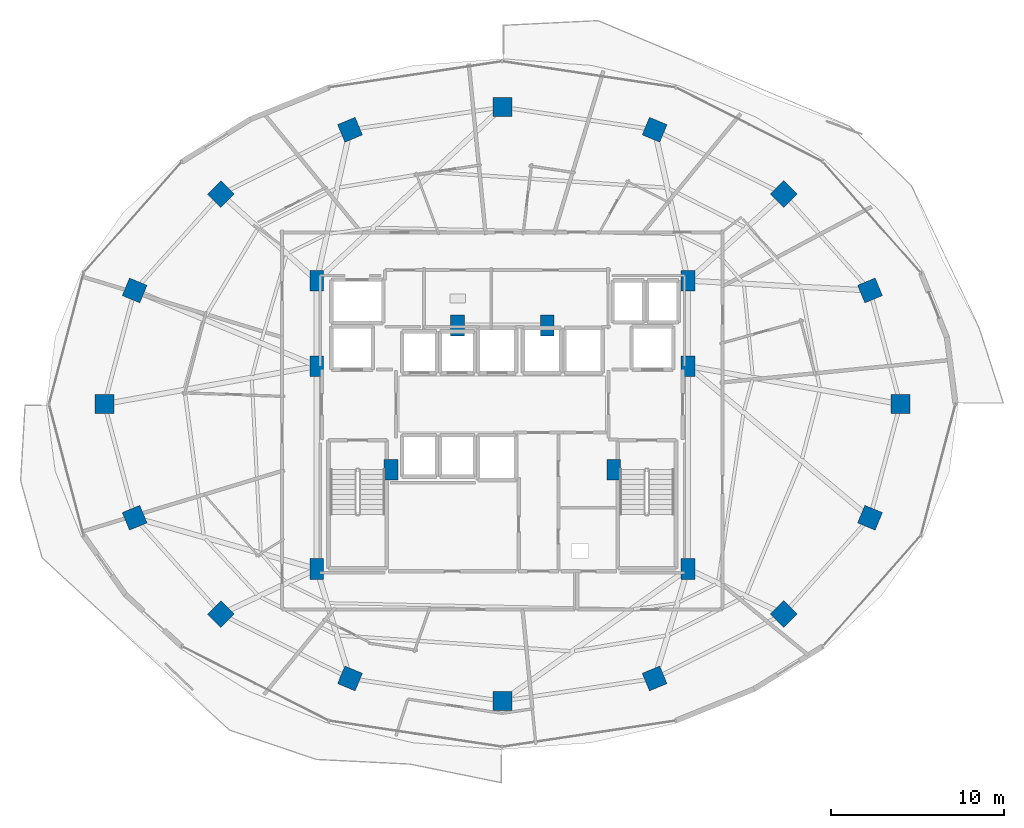
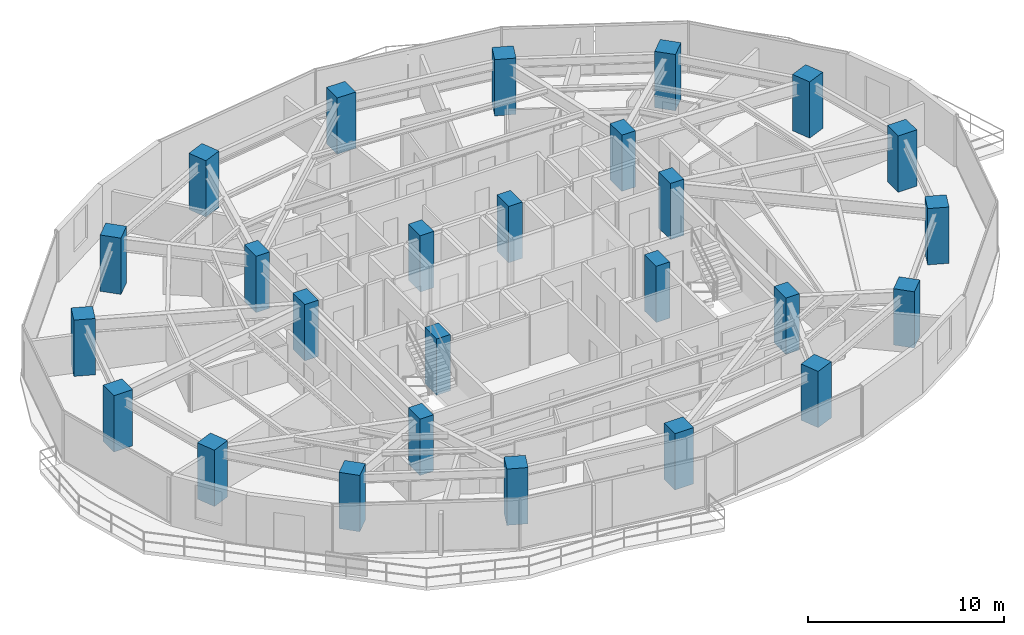
# One storey, part 1 of 29: 26 columns.
"""IFC4 building model written with IfcOpenShell, lengths in metres."""

from ifc_helpers import new_model, si_unit, direction, frame, origin, origin_2d, place, context, subcontext, project, spatial, rectangle, extrude, material, material_profile, profile_set, type_object, element, save


model = new_model("IFC4")

# Units and contexts
model_context = context("Model", 3, precision=1e-05, world=origin(), true_north=direction((0.0, 1.0)))
body_context = subcontext(model_context, "Body", "Model", "MODEL_VIEW")
ifc_project = project(units=[si_unit("LENGTHUNIT", "METRE"), si_unit("AREAUNIT", "SQUARE_METRE"), si_unit("VOLUMEUNIT", "CUBIC_METRE"), si_unit("PLANEANGLEUNIT", "RADIAN"), si_unit("MASSUNIT", "GRAM", prefix="KILO")], contexts=[model_context])

# Site, building, storey
site_placement = place(None, origin())
site = spatial("IfcSite", under=ifc_project, at=site_placement, CompositionType="ELEMENT")
building_placement = place(site_placement, origin())
building = spatial("IfcBuilding", under=site, at=building_placement, Name="Vorneva Point Tower", CompositionType="ELEMENT")
storey_placement = place(building_placement, frame((0.0, 0.0, 120.800048828125)))
storey = spatial("IfcBuildingStorey", under=building, at=storey_placement, Name="L32", CompositionType="ELEMENT", Elevation=120.800048828125)

# Columns
ifc_material = material(Name="Concrete B60 (C50/60)", Category="concrete")
ifc_material_profile_1 = material_profile(ifc_material, rectangle(XDim=1.10009765625, YDim=1.10009765625, at=origin_2d()), Name="RC-COL 1100x1100")
ifc_profile_set_1 = profile_set([ifc_material_profile_1], Name="Concrete B60 (C50/60)")
column_type_1 = type_object("IfcColumnType", Name="COL-RC1100", PredefinedType="COLUMN", material=ifc_profile_set_1)
for number, where, z_axis, x_axis, name in (
    (1, (61.050048828125, 26.0, 0.0), (0.0, 0.0, 1.0), (1.0, 0.0, 0.0), "L32 Perimeter Column P01"),
    (2, (59.29541015625, 32.582275390625, 0.0), (0.0, 0.0, 1.0), (0.923879532511, 0.382683432365, 0.0), "L32 Perimeter Column P02"),
    (3, (54.298828125, 38.162109375, 0.0), (0.0, 0.0, 1.0), (0.707106781187, 0.707106781187, 0.0), "L32 Perimeter Column P03"),
    (4, (46.82080078125, 41.890625, 0.0), (0.0, 0.0, 1.0), (0.382683432365, 0.923879532511, 0.0), "L32 Perimeter Column P04"),
    (5, (38.0, 43.199951171875, 0.0), (0.0, 0.0, 1.0), (0.0, 1.0, 0.0), "L32 Perimeter Column P05"),
    (6, (29.17919921875, 41.890625, 0.0), (0.0, 0.0, 1.0), (-0.382683432365, 0.923879532511, 0.0), "L32 Perimeter Column P06"),
    (7, (21.701171875, 38.162109375, 0.0), (0.0, 0.0, 1.0), (-0.707106781187, 0.707106781187, 0.0), "L32 Perimeter Column P07"),
    (8, (16.70458984375, 32.582275390625, 0.0), (0.0, 0.0, 1.0), (-0.923879532511, 0.382683432365, 0.0), "L32 Perimeter Column P08"),
    (9, (14.949951171875, 26.0, 0.0), (0.0, 0.0, 1.0), (-1.0, 0.0, 0.0), "L32 Perimeter Column P09"),
    (10, (16.70458984375, 19.417724609375, 0.0), (0.0, 0.0, 1.0), (-0.923879532511, -0.382683432365, 0.0), "L32 Perimeter Column P10"),
    (11, (21.701171875, 13.837890625, 0.0), (0.0, 0.0, 1.0), (-0.707106781187, -0.707106781187, 0.0), "L32 Perimeter Column P11"),
    (12, (29.17919921875, 10.109375, 0.0), (0.0, 0.0, 1.0), (-0.382683432365, -0.923879532511, 0.0), "L32 Perimeter Column P12"),
    (13, (38.0, 8.800048828125, 0.0), (0.0, 0.0, 1.0), (0.0, -1.0, 0.0), "L32 Perimeter Column P13"),
    (14, (46.82080078125, 10.109375, 0.0), (0.0, 0.0, 1.0), (0.382683432365, -0.923879532511, 0.0), "L32 Perimeter Column P14"),
    (15, (54.298828125, 13.837890625, 0.0), (0.0, 0.0, 1.0), (0.707106781187, -0.707106781187, 0.0), "L32 Perimeter Column P15"),
    (16, (59.29541015625, 19.417724609375, 0.0), (0.0, 0.0, 1.0), (0.923879532511, -0.382683432365, 0.0), "L32 Perimeter Column P16"),
):
    element("IfcColumn", number, at=place(storey_placement, frame(where, z_axis=z_axis, x_axis=x_axis)), inside=storey, type_object=column_type_1, Name=name, PredefinedType="COLUMN", context=body_context, shape_type="SweptSolid", body=[
        extrude(rectangle(XDim=1.10009765625, YDim=1.10009765625, at=origin_2d()), origin(), (0.0, 0.0, 1.0), 3.5),
    ])
ifc_material_profile_2 = material_profile(ifc_material, rectangle(XDim=0.800048828125, YDim=1.199951171875, at=origin_2d()), Name="RC-PIL 1200x800")
ifc_profile_set_2 = profile_set([ifc_material_profile_2], Name="Concrete B60 (C50/60)")
column_type_2 = type_object("IfcColumnType", Name="PIL-RC1200x800", PredefinedType="PILASTER", material=ifc_profile_set_2)
for number, where, z_axis, x_axis, name in (
    (17, (27.25, 16.449951171875, 0.0), (0.0, 0.0, 1.0), (1.0, 0.0, 0.0), "L32 Core Pilaster CP1"),
    (18, (27.25, 28.199951171875, 0.0), (0.0, 0.0, 1.0), (1.0, 0.0, 0.0), "L32 Core Pilaster CP2"),
    (19, (27.25, 33.14990234375, 0.0), (0.0, 0.0, 1.0), (1.0, 0.0, 0.0), "L32 Core Pilaster CP3"),
    (20, (31.550048828125, 22.199951171875, 0.0), (0.0, 0.0, 1.0), (1.0, 0.0, 0.0), "L32 Core Pilaster CP4"),
    (21, (48.75, 33.14990234375, 0.0), (0.0, 0.0, 1.0), (1.0, 0.0, 0.0), "L32 Core Pilaster CP5"),
    (22, (48.75, 28.199951171875, 0.0), (0.0, 0.0, 1.0), (1.0, 0.0, 0.0), "L32 Core Pilaster CP6"),
    (23, (48.75, 16.449951171875, 0.0), (0.0, 0.0, 1.0), (1.0, 0.0, 0.0), "L32 Core Pilaster CP7"),
    (24, (44.449951171875, 22.199951171875, 0.0), (0.0, 0.0, 1.0), (1.0, 0.0, 0.0), "L32 Core Pilaster CP8"),
    (25, (35.39990234375, 30.550048828125, 0.0), (0.0, 0.0, 1.0), (1.0, 0.0, 0.0), "L32 Core Pilaster CP9"),
    (26, (40.60009765625, 30.550048828125, 0.0), (0.0, 0.0, 1.0), (1.0, 0.0, 0.0), "L32 Core Pilaster CP10"),
):
    element("IfcColumn", number, at=place(storey_placement, frame(where, z_axis=z_axis, x_axis=x_axis)), inside=storey, type_object=column_type_2, Name=name, PredefinedType="PILASTER", context=body_context, shape_type="SweptSolid", body=[
        extrude(rectangle(XDim=0.800048828125, YDim=1.199951171875, at=origin_2d()), origin(), (0.0, 0.0, 1.0), 3.5),
    ])

save(model, "model.ifc")
